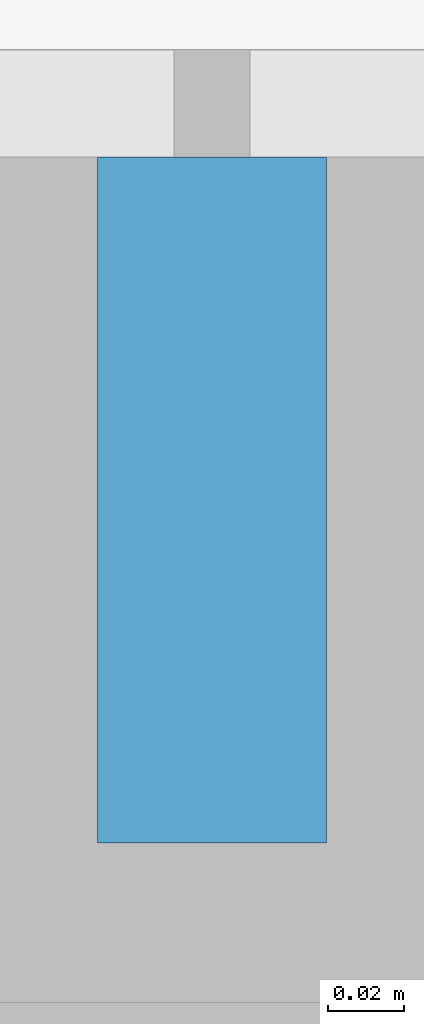
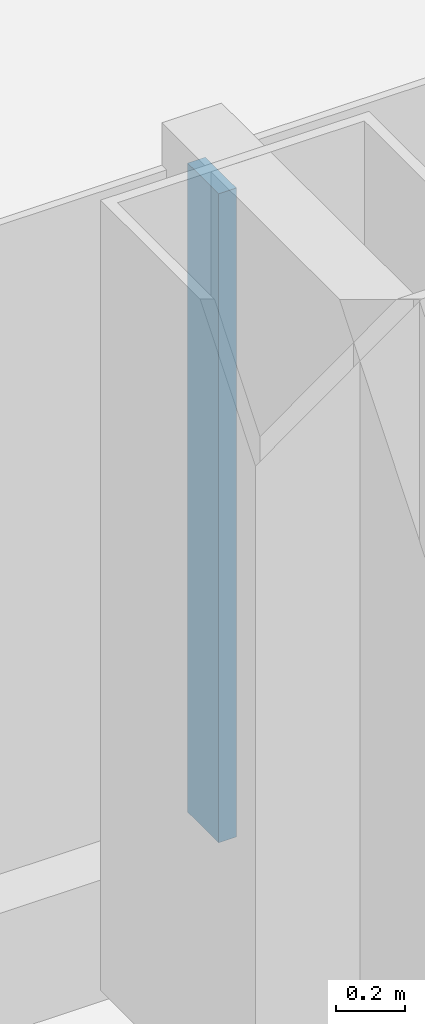
# One storey, part 8 of 42: 1 member, 1 element without a shape of its own.
"""IFC4 building model written with IfcOpenShell, lengths in metres."""

from ifc_helpers import new_model, si_unit, direction, frame, origin, origin_2d, place, context, subcontext, project, spatial, rectangle, extrude, material, layer, layer_set, material_profile, profile_set, type_object, element, aggregate, save


model = new_model("IFC4")

# Units and contexts
model_context = context("Model", 3, precision=1e-05, world=origin(), true_north=direction((0.0, 1.0)))
body_context = subcontext(model_context, "Body", "Model", "MODEL_VIEW")
ifc_project = project(units=[si_unit("LENGTHUNIT", "METRE"), si_unit("AREAUNIT", "SQUARE_METRE"), si_unit("VOLUMEUNIT", "CUBIC_METRE"), si_unit("PLANEANGLEUNIT", "RADIAN"), si_unit("MASSUNIT", "GRAM", prefix="KILO")], contexts=[model_context])

# Site, building, storey
site_placement = place(None, origin())
site = spatial("IfcSite", under=ifc_project, at=site_placement, CompositionType="ELEMENT")
building_placement = place(site_placement, origin())
building = spatial("IfcBuilding", under=site, at=building_placement, Name="Hakoniwa Tower and Hamabe Station Hall", CompositionType="ELEMENT")
storey_placement = place(building_placement, frame((0.0, 0.0, 19.800048828125)))
storey = spatial("IfcBuildingStorey", under=building, at=storey_placement, Name="L04", CompositionType="ELEMENT", Elevation=19.800048828125)

# Curtain wall, member
ifc_material_1 = material(Name="Dark low-e laminated glass", Category="glass")
ifc_layer = layer(ifc_material_1, 0.199951171875)
ifc_layer_set = layer_set([ifc_layer], Name="CW-1 UNITISED GUEST")
curtain_wall_type = type_object("IfcCurtainWallType", Name="CW-1 UNITISED GUEST", PredefinedType="NOTDEFINED", material=ifc_layer_set)
curtain_wall_placement = place(storey_placement, origin())
curtain_wall = element("IfcCurtainWall", 1, at=curtain_wall_placement, inside=storey, type_object=curtain_wall_type, Name="CW-1 curtain wall", PredefinedType="NOTDEFINED")
ifc_material_2 = material(Name="Aluminium 6063-T5 black anodised", Category="aluminium")
ifc_material_profile = material_profile(ifc_material_2, rectangle(XDim=0.06005859375, YDim=0.179931640625, at=origin_2d()), Name="CW-1 MULLION 60X180")
ifc_profile_set = profile_set([ifc_material_profile], Name="Aluminium 6063-T5 black anodised")
member_type = type_object("IfcMemberType", Name="CW-1 MULLION 60X180", PredefinedType="MULLION", material=ifc_profile_set)
member_placement = place(storey_placement, frame((0.0, 20.181884765625, 0.349853515625), z_axis=(0.0, 0.0, 1.0), x_axis=(-1.0, 0.0, 0.0)))
member = element("IfcMember", 2, at=member_placement, type_object=member_type, Name="CW-1 mullion", PredefinedType="MULLION", context=body_context, shape_type="SweptSolid", body=[
    extrude(rectangle(XDim=0.06005859375, YDim=0.179931640625, at=origin_2d()), origin(), (0.0, 0.0, 1.0), 2.300048828125),
])
aggregate(curtain_wall, [member])

save(model, "model.ifc")
